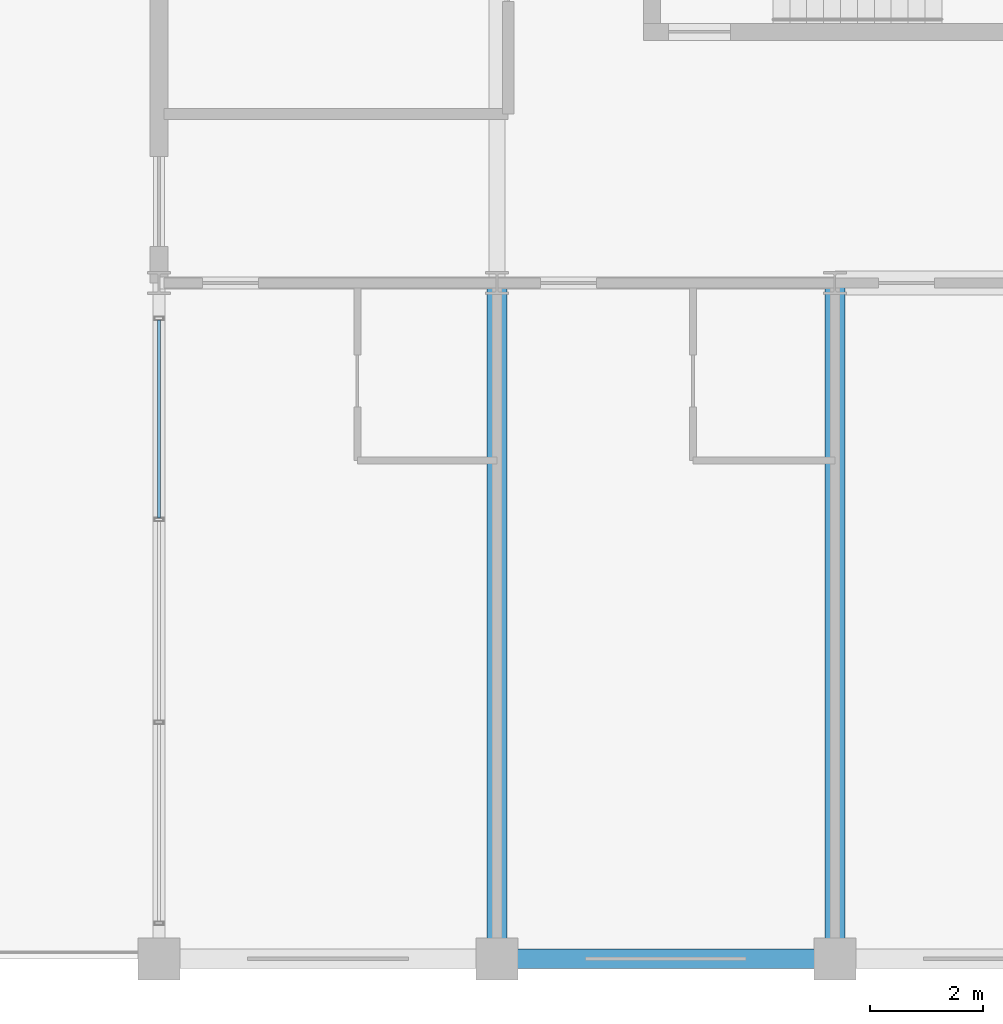
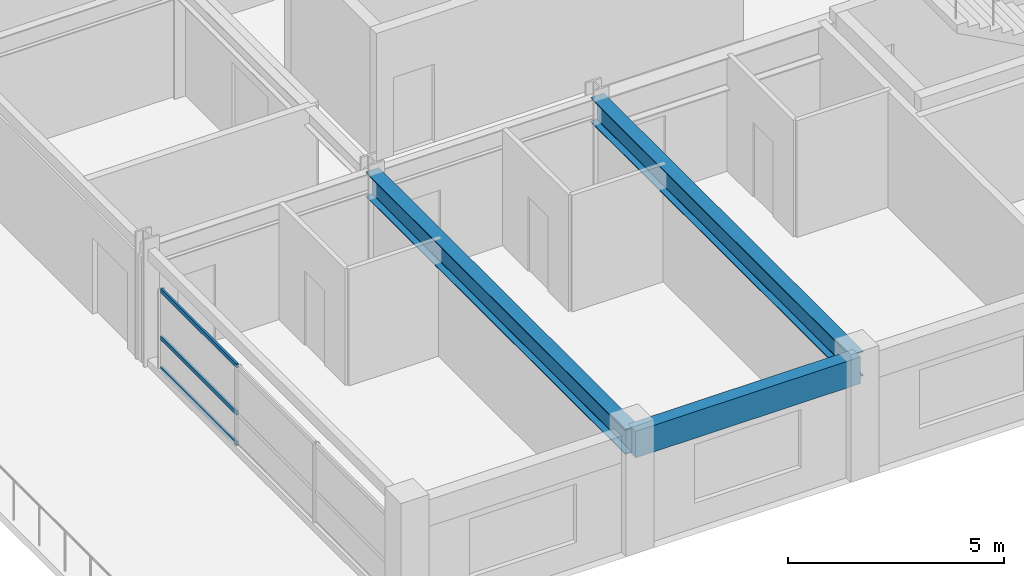
# One storey, part 3 of 21: 3 beams, 3 members, 1 element without a shape of its own.
"""IFC4 building model written with IfcOpenShell, lengths in metres."""

from ifc_helpers import new_model, si_unit, direction, frame, origin, origin_2d, place, context, subcontext, project, spatial, rectangle, hollow_rectangle, i_section, extrude, material, material_profile, profile_set, type_object, element, aggregate, save


model = new_model("IFC4")

# Units and contexts
model_context = context("Model", 3, precision=1e-05, world=origin(), true_north=direction((0.0, 1.0)))
body_context = subcontext(model_context, "Body", "Model", "MODEL_VIEW")
ifc_project = project(units=[si_unit("LENGTHUNIT", "METRE"), si_unit("AREAUNIT", "SQUARE_METRE"), si_unit("VOLUMEUNIT", "CUBIC_METRE"), si_unit("PLANEANGLEUNIT", "RADIAN"), si_unit("MASSUNIT", "GRAM", prefix="KILO")], contexts=[model_context])

# Site, building, storey
site_placement = place(None, origin())
site = spatial("IfcSite", under=ifc_project, at=site_placement, CompositionType="ELEMENT")
building_placement = place(site_placement, origin())
building = spatial("IfcBuilding", under=site, at=building_placement, Name="Kaldorvane Square Convention Centre", CompositionType="ELEMENT")
storey_placement = place(building_placement, frame((0.0, 0.0, 49.19999694824219)))
storey = spatial("IfcBuildingStorey", under=building, at=storey_placement, Name="L11", CompositionType="ELEMENT", Elevation=49.19999694824219)

# Beams
ifc_material_1 = material(Name="Steel ASTM A992 Gr. 50", Category="steel")
ifc_material_profile_1 = material_profile(ifc_material_1, i_section(OverallWidth=0.354705810546875, OverallDepth=0.69549560546875, WebThickness=0.0153961181640625, FlangeThickness=0.0251007080078125, FilletRadius=0.01519775390625, at=origin_2d()), Name="W27X146")
ifc_profile_set_1 = profile_set([ifc_material_profile_1], Name="Steel ASTM A992 Gr. 50")
beam_type_1 = type_object("IfcBeamType", Name="BM-GR-W27X146", PredefinedType="BEAM", material=ifc_profile_set_1)
for number, where, z_axis, x_axis, name in (
    (1, (36.0, 84.0, 2.9383087158203125), (0.0, 1.0, 0.0), (-1.0, 0.0, 0.0), "Transverse Girder (L11)"),
    (2, (42.0, 84.0, 2.9383087158203125), (0.0, 1.0, 0.0), (-1.0, 0.0, 0.0), "Transverse Girder (L11)"),
):
    element("IfcBeam", number, at=place(storey_placement, frame(where, z_axis=z_axis, x_axis=x_axis)), inside=storey, type_object=beam_type_1, Name=name, PredefinedType="BEAM", context=body_context, shape_type="SweptSolid", body=[
        extrude(i_section(OverallWidth=0.354705810546875, OverallDepth=0.69549560546875, WebThickness=0.0153961181640625, FlangeThickness=0.0251007080078125, FilletRadius=0.01519775390625, at=origin_2d()), origin(), (0.0, 0.0, 1.0), 12.0),
    ])
ifc_material_2 = material(Name="Concrete f'c = 42 MPa (Normalweight)", Category="concrete")
ifc_material_profile_2 = material_profile(ifc_material_2, rectangle(XDim=0.350006103515625, YDim=0.75, at=origin_2d()), Name="RCSP750X350")
ifc_profile_set_2 = profile_set([ifc_material_profile_2], Name="Concrete f'c = 42 MPa (Normalweight)")
beam_type_2 = type_object("IfcBeamType", Name="BM-SP-RC750", PredefinedType="SPANDREL", material=ifc_profile_set_2)
beam_placement = place(storey_placement, frame((36.0, 84.0, 2.9109954833984375), z_axis=(1.0, 0.0, 0.0), x_axis=(0.0, 1.0, 0.0)))
element("IfcBeam", 3, at=beam_placement, inside=storey, type_object=beam_type_2, Name="Perimeter Spandrel (L11)", PredefinedType="SPANDREL", context=body_context, shape_type="SweptSolid", body=[
    extrude(rectangle(XDim=0.350006103515625, YDim=0.75, at=origin_2d()), origin(), (0.0, 0.0, 1.0), 6.0),
])

# Curtain wall, members
ifc_material_3 = material(Name="Anodized Aluminum and Low-E Insulated Glazing", Category="aluminium")
curtain_wall_type = type_object("IfcCurtainWallType", Name="CW-UNI-HTL-B", PredefinedType="USERDEFINED", material=ifc_material_3)
curtain_wall_placement = place(storey_placement, origin())
curtain_wall = element("IfcCurtainWall", 4, at=curtain_wall_placement, inside=storey, type_object=curtain_wall_type, Name="Curtain Wall CW-11 (L11)", ObjectType="UNITISED GLAZING", PredefinedType="USERDEFINED")
ifc_material_profile_3 = material_profile(ifc_material_3, hollow_rectangle(XDim=0.05499267578125, YDim=0.1199951171875, WallThickness=0.0030059814453125, at=origin_2d()), Name="CWT-120X55")
ifc_profile_set_3 = profile_set([ifc_material_profile_3], Name="Anodized Aluminum and Low-E Insulated Glazing")
member_type = type_object("IfcMemberType", Name="CW-TRN-120", PredefinedType="USERDEFINED", material=ifc_profile_set_3)
member_1_placement = place(storey_placement, frame((30.0, 95.33999633789062, 0.1775054931640625), z_axis=(0.0, -1.0, 0.0), x_axis=(1.0, 0.0, 0.0)))
member_1 = element("IfcMember", 5, at=member_1_placement, type_object=member_type, Name="CW-11 transom 1.1", ObjectType="TRANSOM", PredefinedType="USERDEFINED", context=body_context, shape_type="SweptSolid", body=[
    extrude(hollow_rectangle(XDim=0.05499267578125, YDim=0.1199951171875, WallThickness=0.0030059814453125, at=origin_2d()), origin(), (0.0, 0.0, 1.0), 3.5099945068359375),
])
member_2_placement = place(storey_placement, frame((30.0, 95.33999633789062, 1.0500030517578125), z_axis=(0.0, -1.0, 0.0), x_axis=(1.0, 0.0, 0.0)))
member_2 = element("IfcMember", 6, at=member_2_placement, type_object=member_type, Name="CW-11 transom 1.2", ObjectType="TRANSOM", PredefinedType="USERDEFINED", context=body_context, shape_type="SweptSolid", body=[
    extrude(hollow_rectangle(XDim=0.05499267578125, YDim=0.1199951171875, WallThickness=0.0030059814453125, at=origin_2d()), origin(), (0.0, 0.0, 1.0), 3.5099945068359375),
])
member_3_placement = place(storey_placement, frame((30.0, 95.33999633789062, 2.38250732421875), z_axis=(0.0, -1.0, 0.0), x_axis=(1.0, 0.0, 0.0)))
member_3 = element("IfcMember", 7, at=member_3_placement, type_object=member_type, Name="CW-11 transom 1.3", ObjectType="TRANSOM", PredefinedType="USERDEFINED", context=body_context, shape_type="SweptSolid", body=[
    extrude(hollow_rectangle(XDim=0.05499267578125, YDim=0.1199951171875, WallThickness=0.0030059814453125, at=origin_2d()), origin(), (0.0, 0.0, 1.0), 3.5099945068359375),
])
aggregate(curtain_wall, [member_1, member_2, member_3])

save(model, "model.ifc")
